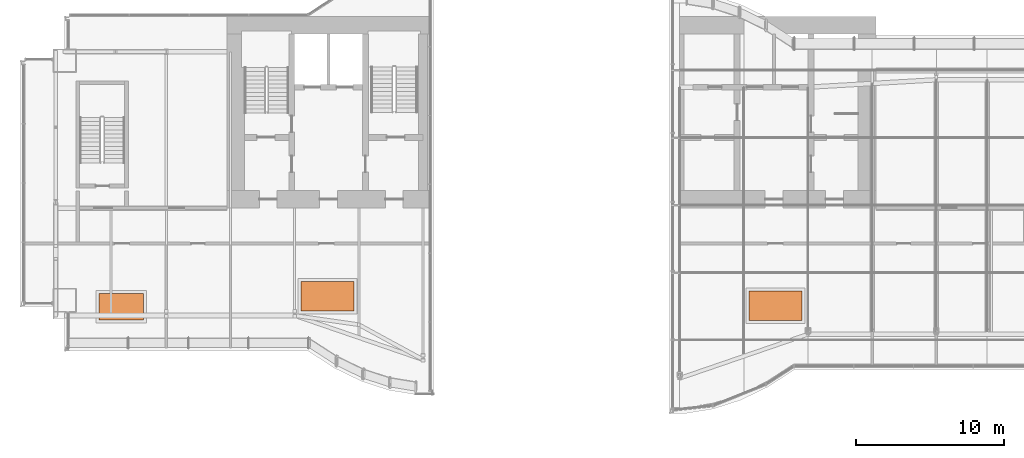
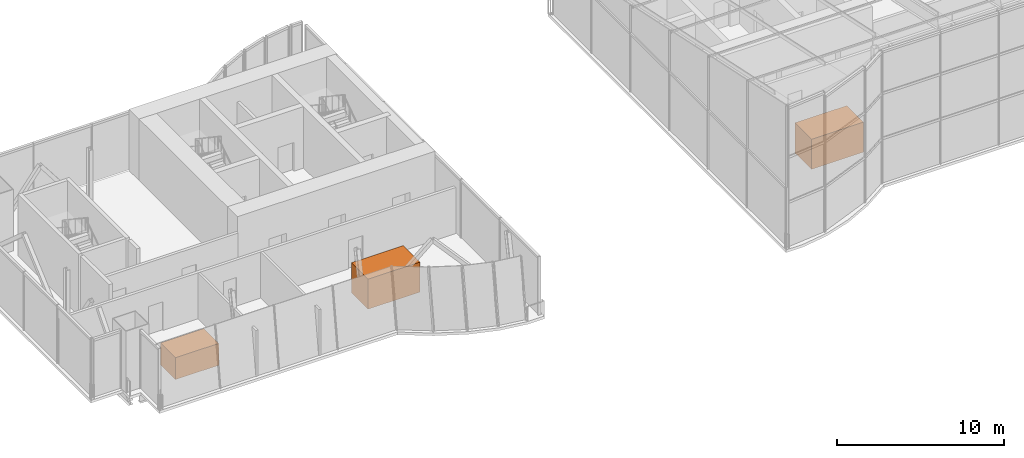
# One storey, part 17 of 17: 3 proxies.
"""IFC4 building model written with IfcOpenShell, lengths in metres."""

from ifc_helpers import new_model, si_unit, direction, frame, origin, origin_2d, place, context, subcontext, project, spatial, rectangle, extrude, element, save


model = new_model("IFC4")

# Units and contexts
model_context = context("Model", 3, precision=1e-05, world=origin(), true_north=direction((0.0, 1.0)))
body_context = subcontext(model_context, "Body", "Model", "MODEL_VIEW")
ifc_project = project(units=[si_unit("LENGTHUNIT", "METRE"), si_unit("AREAUNIT", "SQUARE_METRE"), si_unit("VOLUMEUNIT", "CUBIC_METRE"), si_unit("PLANEANGLEUNIT", "RADIAN"), si_unit("MASSUNIT", "GRAM", prefix="KILO")], contexts=[model_context])

# Site, building, storey
site_placement = place(None, origin())
site = spatial("IfcSite", under=ifc_project, at=site_placement, CompositionType="ELEMENT")
building_placement = place(site_placement, origin())
building = spatial("IfcBuilding", under=site, at=building_placement, Name="Bicima Exchange Tower", CompositionType="ELEMENT")
storey_placement = place(building_placement, frame((0.0, 0.0, 356.89990234375)))
storey = spatial("IfcBuildingStorey", under=building, at=storey_placement, Name="L80", CompositionType="ELEMENT", Elevation=356.89990234375)

# Proxies
proxy_placement = place(storey_placement, frame((-29.159912109375, -19.679931640625, 0.199951171875), z_axis=(0.0, 0.0, 1.0), x_axis=(1.0, 0.0, 0.0)))
element("IfcBuildingElementProxy", 1, at=proxy_placement, inside=storey, Name="Pump set L80", ObjectType="Pump set", PredefinedType="USERDEFINED", context=body_context, shape_type="SweptSolid", body=[
    extrude(rectangle(XDim=3.0, YDim=1.800048828125, at=origin_2d()), origin(), (0.0, 0.0, 1.0), 1.60009765625),
])
for number, where, z_axis, x_axis, name in (
    (2, (-15.18505859375, -18.985107421875, 0.2001953125), (0.0, 0.0, 1.0), (1.0, 0.0, 0.0), "Water treatment skid L80"),
    (3, (15.18994140625, -19.614990234375, 0.2001953125), (0.0, 0.0, 1.0), (1.0, 0.0, 0.0), "Water treatment skid L80"),
):
    element("IfcBuildingElementProxy", number, at=place(storey_placement, frame(where, z_axis=z_axis, x_axis=x_axis)), inside=storey, Name=name, ObjectType="Water treatment skid", PredefinedType="USERDEFINED", context=body_context, shape_type="SweptSolid", body=[
        extrude(rectangle(XDim=3.60009765625, YDim=2.0, at=origin_2d()), origin(), (0.0, 0.0, 1.0), 2.199951171875),
    ])

save(model, "model.ifc")
